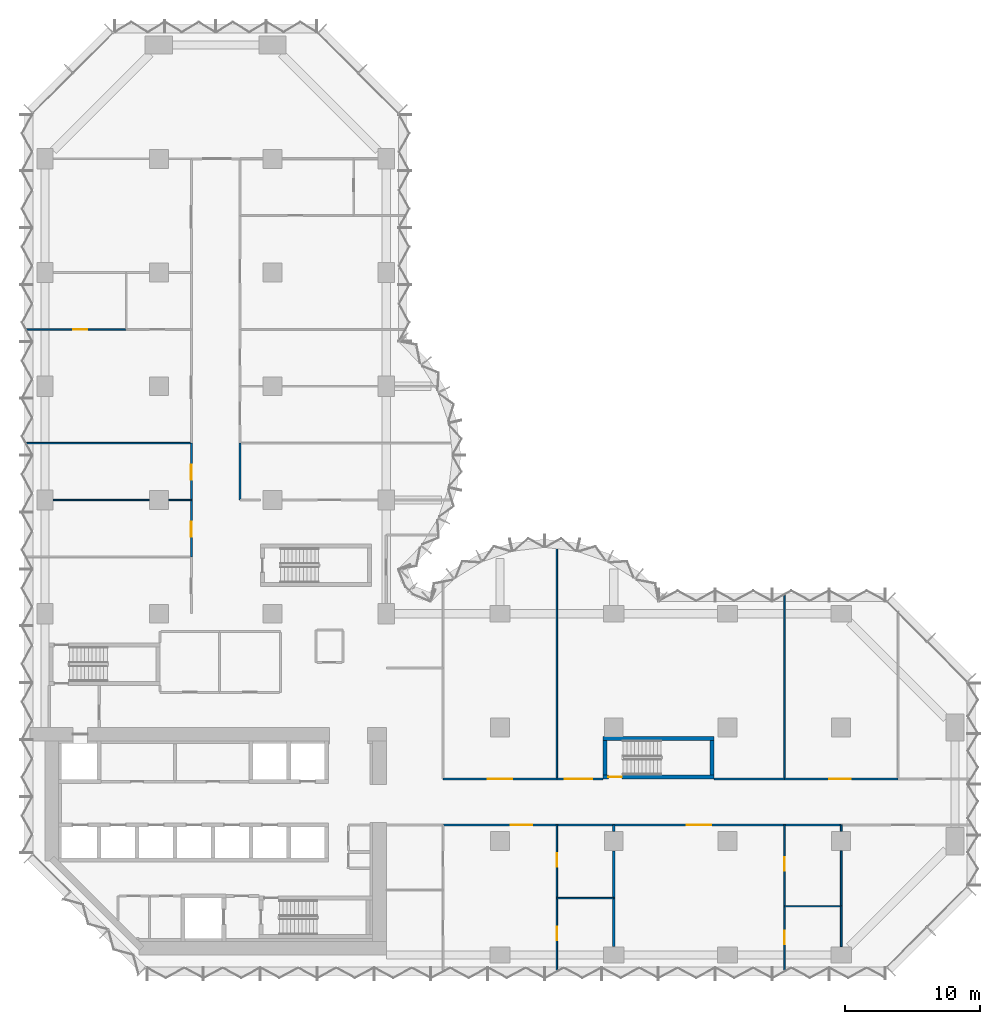
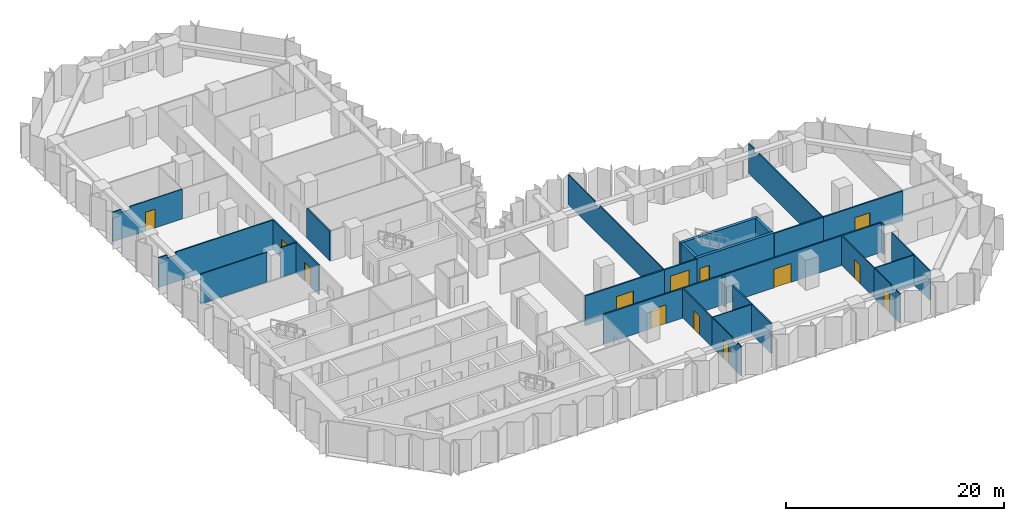
# One storey, part 10 of 15: 33 walls, 13 doors, 13 openings.
"""IFC4 building model written with IfcOpenShell, lengths in metres."""

from ifc_helpers import new_model, si_unit, direction, frame, frame_2d, origin, place, context, subcontext, project, spatial, polyline, rectangle, outline, extrude, material, layer, layer_set, type_object, element, fill, save


model = new_model("IFC4")

# Units and contexts
model_context = context("Model", 3, precision=1e-05, world=origin(), true_north=direction((0.0, 1.0)))
body_context = subcontext(model_context, "Body", "Model", "MODEL_VIEW")
ifc_project = project(units=[si_unit("LENGTHUNIT", "METRE"), si_unit("AREAUNIT", "SQUARE_METRE"), si_unit("VOLUMEUNIT", "CUBIC_METRE"), si_unit("PLANEANGLEUNIT", "RADIAN"), si_unit("MASSUNIT", "GRAM", prefix="KILO")], contexts=[model_context])

# Site, building, storey
site_placement = place(None, origin())
site = spatial("IfcSite", under=ifc_project, at=site_placement, CompositionType="ELEMENT")
building_placement = place(site_placement, origin())
building = spatial("IfcBuilding", under=site, at=building_placement, Name="Brevane Broadcast Tower", CompositionType="ELEMENT")
storey_placement = place(building_placement, frame((0.0, 0.0, 47.300048828125)))
storey = spatial("IfcBuildingStorey", under=building, at=storey_placement, Name="L09", CompositionType="ELEMENT", Elevation=47.300048828125)

# Wall, opening, door
ifc_material_1 = material(Name="Concrete C80/95", Category="concrete")
ifc_layer_1 = layer(ifc_material_1, 0.300048828125)
ifc_layer_set_1 = layer_set([ifc_layer_1], Name="Core wall 300 mm C80/95")
wall_type_1 = type_object("IfcWallType", Name="Core wall 300 mm C80/95", PredefinedType="SHEAR", material=ifc_layer_set_1)
wall_1_placement = place(storey_placement, frame((49.39990234375, 13.14990234375, 0.0), z_axis=(0.0, 0.0, 1.0), x_axis=(-1.0, 0.0, 0.0)))
wall_1 = element("IfcWall", 1, at=wall_1_placement, inside=storey, type_object=wall_type_1, Name="L09 stair wall ST-4-S", PredefinedType="SHEAR", context=body_context, shape_type="SweptSolid", body=[
    extrude(rectangle(XDim=8.199951171875, YDim=0.300048828125, at=frame_2d((4.10009765625, 0.0))), origin(), (0.0, 0.0, 1.0), 3.349853515625),
])
opening_1_placement = place(wall_1_placement, frame((6.800048828125, 0.0, 0.0)))
opening_1 = element("IfcOpeningElement", 2, at=opening_1_placement, cuts=wall_1, Name="Opening L09-K15", PredefinedType="OPENING", context=body_context, shape_type="SweptSolid", body=[
    extrude(rectangle(XDim=1.0, YDim=2.10009765625, at=frame_2d((0.5, 1.050048828125))), frame((0.0, 0.159912109375, 0.0), z_axis=(0.0, -1.0, 0.0), x_axis=(1.0, 0.0, 0.0)), (0.0, 0.0, 1.0), 0.320068359375),
])
ifc_material_2 = material(Name="Steel", Category="steel")
door_type_1 = type_object("IfcDoorType", Name="Stair door 1000 x 2100", OperationType="SINGLE_SWING_LEFT", PredefinedType="DOOR", material=ifc_material_2)
door_1_placement = place(opening_1_placement, origin())
door_1 = element("IfcDoor", 3, at=door_1_placement, inside=storey, type_object=door_type_1, Name="Door L09-K15", OperationType="SINGLE_SWING_RIGHT", OverallHeight=2.10009765625, OverallWidth=1.0, PredefinedType="DOOR", context=body_context, shape_type="SweptSolid", body=[
    extrude(rectangle(XDim=1.0, YDim=2.10009765625, at=frame_2d((0.5, 1.050048828125))), frame((0.0, 0.02490234375, 0.0), z_axis=(0.0, -1.0, 0.0), x_axis=(1.0, 0.0, 0.0)), (0.0, 0.0, 1.0), 0.050048828125),
])
fill(opening_1, door_1)

# Walls
wall_2_placement = place(storey_placement, frame((41.199951171875, 16.0, 0.0), z_axis=(0.0, 0.0, 1.0), x_axis=(1.0, 0.0, 0.0)))
element("IfcWall", 4, at=wall_2_placement, inside=storey, type_object=wall_type_1, Name="L09 stair wall ST-4-N", PredefinedType="SHEAR", context=body_context, shape_type="SweptSolid", body=[
    extrude(rectangle(XDim=8.199951171875, YDim=0.300048828125, at=frame_2d((4.10009765625, 0.0))), origin(), (0.0, 0.0, 1.0), 3.349853515625),
])
for number, where, z_axis, x_axis, name in (
    (5, (41.35009765625, 13.300048828125, 0.0), (0.0, 0.0, 1.0), (0.0, 1.0, 0.0), "L09 stair wall ST-4-W"),
    (6, (49.25, 13.300048828125, 0.0), (0.0, 0.0, 1.0), (0.0, 1.0, 0.0), "L09 stair wall ST-4-E"),
):
    element("IfcWall", number, at=place(storey_placement, frame(where, z_axis=z_axis, x_axis=x_axis)), inside=storey, type_object=wall_type_1, Name=name, PredefinedType="SHEAR", context=body_context, shape_type="SweptSolid", body=[
        extrude(rectangle(XDim=2.550048828125, YDim=0.300048828125, at=frame_2d((1.27490234375, 0.0))), origin(), (0.0, 0.0, 1.0), 3.349853515625),
    ])

# Wall, opening, door
ifc_material_3 = material(Name="Gypsum board partition")
ifc_layer_2 = layer(ifc_material_3, 0.10009765625)
ifc_layer_set_2 = layer_set([ifc_layer_2], Name="PARTITION 100 STUD")
wall_type_2 = type_object("IfcWallType", Name="PARTITION 100 STUD", PredefinedType="PARTITIONING", material=ifc_layer_set_2)
wall_3_placement = place(storey_placement, frame((37.800048828125, 4.199951171875, 0.0), z_axis=(0.0, 0.0, 1.0), x_axis=(0.0, -1.0, 0.0)))
wall_3 = element("IfcWall", 7, at=wall_3_placement, inside=storey, type_object=wall_type_2, Name="Partition G02-017", PredefinedType="PARTITIONING", context=body_context, shape_type="SweptSolid", body=[
    extrude(outline(polyline([(0.0, 0.0), (5.3740234375, 0.0), (5.3740234375, 3.329833984375), (5.300048828125, 3.329833984375), (4.64990234375, 3.329833984375), (4.64794921875, 2.97998046875), (3.751953125, 2.97998046875), (3.75, 3.329833984375), (0.0, 3.329833984375), (0.0, 0.0)])), frame((0.0, 0.050048828125, 0.0), z_axis=(0.0, -1.0, 0.0), x_axis=(1.0, 0.0, 0.0)), (0.0, 0.0, 1.0), 0.10009765625),
])
opening_2_placement = place(wall_3_placement, frame((2.10009765625, 0.0, 0.0)))
opening_2 = element("IfcOpeningElement", 8, at=opening_2_placement, cuts=wall_3, Name="Opening D08-003", PredefinedType="OPENING", context=body_context, shape_type="SweptSolid", body=[
    extrude(rectangle(XDim=1.0, YDim=2.10009765625, at=frame_2d((0.5, 1.050048828125))), frame((0.0, 0.06005859375, 0.0), z_axis=(0.0, -1.0, 0.0), x_axis=(1.0, 0.0, 0.0)), (0.0, 0.0, 1.0), 0.1201171875),
])
ifc_material_4 = material(Name="Timber door leaf", Category="wood")
door_type_2 = type_object("IfcDoorType", Name="DOOR SINGLE 1000 INTERNAL", OperationType="SINGLE_SWING_LEFT", PredefinedType="DOOR", material=ifc_material_4)
door_2_placement = place(opening_2_placement, origin())
door_2 = element("IfcDoor", 9, at=door_2_placement, inside=storey, type_object=door_type_2, Name="Door D08-003", OperationType="SINGLE_SWING_LEFT", OverallHeight=2.10009765625, OverallWidth=1.0, PredefinedType="DOOR", context=body_context, shape_type="SweptSolid", body=[
    extrude(rectangle(XDim=1.0, YDim=2.10009765625, at=frame_2d((0.5, 1.050048828125))), frame((0.0, 0.02490234375, 0.0), z_axis=(0.0, -1.0, 0.0), x_axis=(1.0, 0.0, 0.0)), (0.0, 0.0, 1.0), 0.050048828125),
])
fill(opening_2, door_2)

wall_4_placement = place(storey_placement, frame((37.800048828125, 9.60009765625, 0.0), z_axis=(0.0, 0.0, 1.0), x_axis=(0.0, -1.0, 0.0)))
wall_4 = element("IfcWall", 10, at=wall_4_placement, inside=storey, type_object=wall_type_2, Name="Partition G02-018", PredefinedType="PARTITIONING", context=body_context, shape_type="SweptSolid", body=[
    extrude(rectangle(XDim=5.400146484375, YDim=0.10009765625, at=frame_2d((2.7001953125, 0.0))), origin(), (0.0, 0.0, 1.0), 3.329833984375),
])
opening_3_placement = place(wall_4_placement, frame((2.10009765625, 0.0, 0.0)))
opening_3 = element("IfcOpeningElement", 11, at=opening_3_placement, cuts=wall_4, Name="Opening D08-004", PredefinedType="OPENING", context=body_context, shape_type="SweptSolid", body=[
    extrude(rectangle(XDim=1.0, YDim=2.10009765625, at=frame_2d((0.5, 1.050048828125))), frame((0.0, 0.06005859375, 0.0), z_axis=(0.0, -1.0, 0.0), x_axis=(1.0, 0.0, 0.0)), (0.0, 0.0, 1.0), 0.1201171875),
])
door_3_placement = place(opening_3_placement, origin())
door_3 = element("IfcDoor", 12, at=door_3_placement, inside=storey, type_object=door_type_2, Name="Door D08-004", OperationType="SINGLE_SWING_LEFT", OverallHeight=2.10009765625, OverallWidth=1.0, PredefinedType="DOOR", context=body_context, shape_type="SweptSolid", body=[
    extrude(rectangle(XDim=1.0, YDim=2.10009765625, at=frame_2d((0.5, 1.050048828125))), frame((0.0, 0.02490234375, 0.0), z_axis=(0.0, -1.0, 0.0), x_axis=(1.0, 0.0, 0.0)), (0.0, 0.0, 1.0), 0.050048828125),
])
fill(opening_3, door_3)

# Wall
wall_5_placement = place(storey_placement, frame((37.800048828125, 4.199951171875, 0.0), z_axis=(0.0, 0.0, 1.0), x_axis=(1.0, 0.0, 0.0)))
element("IfcWall", 13, at=wall_5_placement, inside=storey, type_object=wall_type_2, Name="Partition G02-021", PredefinedType="PARTITIONING", context=body_context, shape_type="SweptSolid", body=[
    extrude(rectangle(XDim=4.199951171875, YDim=0.10009765625, at=frame_2d((2.10009765625, 0.0))), origin(), (0.0, 0.0, 1.0), 3.329833984375),
])

# Wall, opening, door
wall_6_placement = place(storey_placement, frame((54.60009765625, 3.60009765625, 0.0), z_axis=(0.0, 0.0, 1.0), x_axis=(0.0, -1.0, 0.0)))
wall_6 = element("IfcWall", 14, at=wall_6_placement, inside=storey, type_object=wall_type_2, Name="Partition G02-026", PredefinedType="PARTITIONING", context=body_context, shape_type="SweptSolid", body=[
    extrude(outline(polyline([(0.0, 0.0), (4.774169921875, 0.0), (4.77392578125, 3.329833984375), (4.699951171875, 3.329833984375), (4.050048828125, 3.329833984375), (4.048095703125, 2.97998046875), (3.152099609375, 2.97998046875), (3.14990234375, 3.329833984375), (0.0, 3.329833984375), (0.0, 0.0)])), frame((0.0, 0.050048828125, 0.0), z_axis=(0.0, -1.0, 0.0), x_axis=(1.0, 0.0, 0.0)), (0.0, 0.0, 1.0), 0.10009765625),
])
opening_4_placement = place(wall_6_placement, frame((1.800048828125, 0.0, 0.0)))
opening_4 = element("IfcOpeningElement", 15, at=opening_4_placement, cuts=wall_6, Name="Opening D08-008", PredefinedType="OPENING", context=body_context, shape_type="SweptSolid", body=[
    extrude(rectangle(XDim=1.0, YDim=2.10009765625, at=frame_2d((0.5, 1.050048828125))), frame((0.0, 0.06005859375, 0.0), z_axis=(0.0, -1.0, 0.0), x_axis=(1.0, 0.0, 0.0)), (0.0, 0.0, 1.0), 0.1201171875),
])
door_4_placement = place(opening_4_placement, origin())
door_4 = element("IfcDoor", 16, at=door_4_placement, inside=storey, type_object=door_type_2, Name="Door D08-008", OperationType="SINGLE_SWING_LEFT", OverallHeight=2.10009765625, OverallWidth=1.0, PredefinedType="DOOR", context=body_context, shape_type="SweptSolid", body=[
    extrude(rectangle(XDim=1.0, YDim=2.10009765625, at=frame_2d((0.5, 1.050048828125))), frame((0.0, 0.02490234375, 0.0), z_axis=(0.0, -1.0, 0.0), x_axis=(1.0, 0.0, 0.0)), (0.0, 0.0, 1.0), 0.050048828125),
])
fill(opening_4, door_4)

wall_7_placement = place(storey_placement, frame((54.60009765625, 9.60009765625, 0.0), z_axis=(0.0, 0.0, 1.0), x_axis=(0.0, -1.0, 0.0)))
wall_7 = element("IfcWall", 17, at=wall_7_placement, inside=storey, type_object=wall_type_2, Name="Partition G02-027", PredefinedType="PARTITIONING", context=body_context, shape_type="SweptSolid", body=[
    extrude(rectangle(XDim=6.0, YDim=0.10009765625, at=frame_2d((3.0, 0.0))), origin(), (0.0, 0.0, 1.0), 3.329833984375),
])
opening_5_placement = place(wall_7_placement, frame((2.39990234375, 0.0, 0.0)))
opening_5 = element("IfcOpeningElement", 18, at=opening_5_placement, cuts=wall_7, Name="Opening D08-009", PredefinedType="OPENING", context=body_context, shape_type="SweptSolid", body=[
    extrude(rectangle(XDim=1.0, YDim=2.10009765625, at=frame_2d((0.5, 1.050048828125))), frame((0.0, 0.06005859375, 0.0), z_axis=(0.0, -1.0, 0.0), x_axis=(1.0, 0.0, 0.0)), (0.0, 0.0, 1.0), 0.1201171875),
])
door_5_placement = place(opening_5_placement, origin())
door_5 = element("IfcDoor", 19, at=door_5_placement, inside=storey, type_object=door_type_2, Name="Door D08-009", OperationType="SINGLE_SWING_LEFT", OverallHeight=2.10009765625, OverallWidth=1.0, PredefinedType="DOOR", context=body_context, shape_type="SweptSolid", body=[
    extrude(rectangle(XDim=1.0, YDim=2.10009765625, at=frame_2d((0.5, 1.050048828125))), frame((0.0, 0.02490234375, 0.0), z_axis=(0.0, -1.0, 0.0), x_axis=(1.0, 0.0, 0.0)), (0.0, 0.0, 1.0), 0.050048828125),
])
fill(opening_5, door_5)

# Walls
wall_8_placement = place(storey_placement, frame((54.60009765625, 3.60009765625, 0.0), z_axis=(0.0, 0.0, 1.0), x_axis=(1.0, 0.0, 0.0)))
element("IfcWall", 20, at=wall_8_placement, inside=storey, type_object=wall_type_2, Name="Partition G02-028", PredefinedType="PARTITIONING", context=body_context, shape_type="SweptSolid", body=[
    extrude(rectangle(XDim=4.199951171875, YDim=0.10009765625, at=frame_2d((2.10009765625, 0.0))), origin(), (0.0, 0.0, 1.0), 3.329833984375),
])
wall_9_placement = place(storey_placement, frame((37.800048828125, 30.52587890625, 0.0), z_axis=(0.0, 0.0, 1.0), x_axis=(0.0, -1.0, 0.0)))
element("IfcWall", 21, at=wall_9_placement, inside=storey, type_object=wall_type_2, Name="Partition G02-032", PredefinedType="PARTITIONING", context=body_context, shape_type="SweptSolid", body=[
    extrude(outline(polyline([(0.0, 0.0), (17.52587890625, 0.0), (17.52587890625, 3.329833984375), (5.77587890625, 3.329833984375), (5.77392578125, 2.97998046875), (4.8779296875, 2.97998046875), (4.8759765625, 3.329833984375), (0.283203125, 3.329833984375), (0.0, 3.329833984375), (0.0, 0.0)])), frame((0.0, 0.050048828125, 0.0), z_axis=(0.0, -1.0, 0.0), x_axis=(1.0, 0.0, 0.0)), (0.0, 0.0, 1.0), 0.10009765625),
])
wall_10_placement = place(storey_placement, frame((54.60009765625, 26.56494140625, 0.0), z_axis=(0.0, 0.0, 1.0), x_axis=(0.0, -1.0, 0.0)))
element("IfcWall", 22, at=wall_10_placement, inside=storey, type_object=wall_type_2, Name="Partition G02-033", PredefinedType="PARTITIONING", context=body_context, shape_type="SweptSolid", body=[
    extrude(outline(polyline([(0.0, 0.0), (13.56494140625, 0.0), (13.56494140625, 3.329833984375), (1.81494140625, 3.329833984375), (1.81298828125, 2.97998046875), (0.9169921875, 2.97998046875), (0.9150390625, 3.329833984375), (0.264892578125, 3.329833984375), (0.0, 3.329833984375), (0.0, 0.0)])), frame((0.0, 0.050048828125, 0.0), z_axis=(0.0, -1.0, 0.0), x_axis=(1.0, 0.0, 0.0)), (0.0, 0.0, 1.0), 0.10009765625),
])
wall_11_placement = place(storey_placement, frame((0.6201171875, 33.60009765625, 0.0), z_axis=(0.0, 0.0, 1.0), x_axis=(1.0, 0.0, 0.0)))
element("IfcWall", 23, at=wall_11_placement, inside=storey, type_object=wall_type_2, Name="Partition G02-056", PredefinedType="PARTITIONING", context=body_context, shape_type="SweptSolid", body=[
    extrude(rectangle(XDim=7.059814453125, YDim=0.10009765625, at=frame_2d((3.52978515625, 0.0))), origin(), (0.0, 0.0, 1.0), 3.329833984375),
])
wall_12_placement = place(storey_placement, frame((9.1201171875, 33.60009765625, 0.0), z_axis=(0.0, 0.0, 1.0), x_axis=(1.0, 0.0, 0.0)))
element("IfcWall", 24, at=wall_12_placement, inside=storey, type_object=wall_type_2, Name="Partition G02-057", PredefinedType="PARTITIONING", context=body_context, shape_type="SweptSolid", body=[
    extrude(rectangle(XDim=1.679931640625, YDim=0.10009765625, at=frame_2d((0.83984375, 0.0))), origin(), (0.0, 0.0, 1.0), 3.329833984375),
])

# Wall, opening, door
wall_13_placement = place(storey_placement, frame((-1.364990234375, 46.199951171875, 0.0), z_axis=(0.0, 0.0, 1.0), x_axis=(1.0, 0.0, 0.0)))
wall_13 = element("IfcWall", 25, at=wall_13_placement, inside=storey, type_object=wall_type_2, Name="Partition G02-059", PredefinedType="PARTITIONING", context=body_context, shape_type="SweptSolid", body=[
    extrude(outline(polyline([(0.0, 0.0), (7.364990234375, 0.0), (7.364990234375, 3.329833984375), (1.81494140625, 3.329833984375), (1.81298828125, 2.97998046875), (0.9169921875, 2.97998046875), (0.9150390625, 3.329833984375), (0.264892578125, 3.329833984375), (0.0, 3.329833984375), (0.0, 0.0)])), frame((0.0, 0.050048828125, 0.0), z_axis=(0.0, -1.0, 0.0), x_axis=(1.0, 0.0, 0.0)), (0.0, 0.0, 1.0), 0.10009765625),
])
opening_6_placement = place(wall_13_placement, frame((3.465087890625, 0.0, 0.0)))
opening_6 = element("IfcOpeningElement", 26, at=opening_6_placement, cuts=wall_13, Name="Opening D08-020", PredefinedType="OPENING", context=body_context, shape_type="SweptSolid", body=[
    extrude(rectangle(XDim=1.0, YDim=2.10009765625, at=frame_2d((0.5, 1.050048828125))), frame((0.0, 0.06005859375, 0.0), z_axis=(0.0, -1.0, 0.0), x_axis=(1.0, 0.0, 0.0)), (0.0, 0.0, 1.0), 0.1201171875),
])
door_6_placement = place(opening_6_placement, origin())
door_6 = element("IfcDoor", 27, at=door_6_placement, inside=storey, type_object=door_type_2, Name="Door D08-020", OperationType="SINGLE_SWING_LEFT", OverallHeight=2.10009765625, OverallWidth=1.0, PredefinedType="DOOR", context=body_context, shape_type="SweptSolid", body=[
    extrude(rectangle(XDim=1.0, YDim=2.10009765625, at=frame_2d((0.5, 1.050048828125))), frame((0.0, 0.02490234375, 0.0), z_axis=(0.0, -1.0, 0.0), x_axis=(1.0, 0.0, 0.0)), (0.0, 0.0, 1.0), 0.050048828125),
])
fill(opening_6, door_6)

# Walls
ifc_layer_3 = layer(ifc_material_3, 0.125)
ifc_layer_set_3 = layer_set([ifc_layer_3], Name="PARTITION 125 ACOUSTIC")
wall_type_3 = type_object("IfcWallType", Name="PARTITION 125 ACOUSTIC", PredefinedType="PARTITIONING", material=ifc_layer_set_3)
wall_14_placement = place(storey_placement, frame((58.800048828125, 3.60009765625, 0.0), z_axis=(0.0, 0.0, 1.0), x_axis=(0.0, -1.0, 0.0)))
element("IfcWall", 28, at=wall_14_placement, inside=storey, type_object=wall_type_3, Name="Partition G02-029", PredefinedType="PARTITIONING", context=body_context, shape_type="SweptSolid", body=[
    extrude(rectangle(XDim=2.97998046875, YDim=0.125, at=frame_2d((1.489990234375, 0.0))), origin(), (0.0, 0.0, 1.0), 3.329833984375),
])
wall_15_placement = place(storey_placement, frame((58.800048828125, 9.60009765625, 0.0), z_axis=(0.0, 0.0, 1.0), x_axis=(0.0, -1.0, 0.0)))
element("IfcWall", 29, at=wall_15_placement, inside=storey, type_object=wall_type_3, Name="Partition G02-030", PredefinedType="PARTITIONING", context=body_context, shape_type="SweptSolid", body=[
    extrude(rectangle(XDim=0.47998046875, YDim=0.125, at=frame_2d((0.239990234375, 0.0))), origin(), (0.0, 0.0, 1.0), 3.329833984375),
])
wall_16_placement = place(storey_placement, frame((58.800048828125, 7.679931640625, 0.0), z_axis=(0.0, 0.0, 1.0), x_axis=(0.0, -1.0, 0.0)))
element("IfcWall", 30, at=wall_16_placement, inside=storey, type_object=wall_type_3, Name="Partition G02-031", PredefinedType="PARTITIONING", context=body_context, shape_type="SweptSolid", body=[
    extrude(rectangle(XDim=4.079833984375, YDim=0.125, at=frame_2d((2.0400390625, 0.0))), origin(), (0.0, 0.0, 1.0), 3.329833984375),
])
wall_17_placement = place(storey_placement, frame((-1.364990234375, 37.800048828125, 0.0), z_axis=(0.0, 0.0, 1.0), x_axis=(1.0, 0.0, 0.0)))
element("IfcWall", 31, at=wall_17_placement, inside=storey, type_object=wall_type_3, Name="Partition G02-058", PredefinedType="PARTITIONING", context=body_context, shape_type="SweptSolid", body=[
    extrude(outline(polyline([(0.0, 0.0), (12.1650390625, 0.0), (12.1650390625, 3.329833984375), (1.81494140625, 3.329833984375), (1.81298828125, 2.97998046875), (0.9169921875, 2.97998046875), (0.9150390625, 3.329833984375), (0.264892578125, 3.329833984375), (0.0, 3.329833984375), (0.0, 0.0)])), frame((0.0, 0.0625, 0.0), z_axis=(0.0, -1.0, 0.0), x_axis=(1.0, 0.0, 0.0)), (0.0, 0.0, 1.0), 0.125),
])

# Wall, opening, door
ifc_layer_4 = layer(ifc_material_3, 0.14990234375)
ifc_layer_set_4 = layer_set([ifc_layer_4], Name="PARTITION 150 EI 60")
wall_type_4 = type_object("IfcWallType", Name="PARTITION 150 EI 60", PredefinedType="PARTITIONING", material=ifc_layer_set_4)
wall_18_placement = place(storey_placement, frame((37.800048828125, 9.60009765625, 0.0), z_axis=(0.0, 0.0, 1.0), x_axis=(-1.0, 0.0, 0.0)))
wall_18 = element("IfcWall", 32, at=wall_18_placement, inside=storey, type_object=wall_type_4, Name="Partition G02-007", PredefinedType="PARTITIONING", context=body_context, shape_type="SweptSolid", body=[
    extrude(rectangle(XDim=8.400146484375, YDim=0.14990234375, at=frame_2d((4.2001953125, 0.0))), origin(), (0.0, 0.0, 1.0), 3.329833984375),
])
opening_7_placement = place(wall_18_placement, frame((1.800048828125, 0.0, 0.0)))
opening_7 = element("IfcOpeningElement", 33, at=opening_7_placement, cuts=wall_18, Name="Opening D08-002", PredefinedType="OPENING", context=body_context, shape_type="SweptSolid", body=[
    extrude(rectangle(XDim=1.60009765625, YDim=2.10009765625, at=frame_2d((0.800048828125, 1.050048828125))), frame((0.0, 0.0849609375, 0.0), z_axis=(0.0, -1.0, 0.0), x_axis=(1.0, 0.0, 0.0)), (0.0, 0.0, 1.0), 0.169921875),
])
ifc_material_5 = material(Name="Fire-rated timber door leaf", Category="wood")
door_type_3 = type_object("IfcDoorType", Name="DOOR DOUBLE 1600 FD30S", OperationType="DOUBLE_DOOR_SINGLE_SWING", PredefinedType="DOOR", material=ifc_material_5)
door_7_placement = place(opening_7_placement, origin())
door_7 = element("IfcDoor", 34, at=door_7_placement, inside=storey, type_object=door_type_3, Name="Door D08-002", OperationType="DOUBLE_DOOR_SINGLE_SWING", OverallHeight=2.10009765625, OverallWidth=1.60009765625, PredefinedType="DOOR", context=body_context, shape_type="SweptSolid", body=[
    extrude(rectangle(XDim=1.60009765625, YDim=2.10009765625, at=frame_2d((0.800048828125, 1.050048828125))), frame((0.0, 0.02490234375, 0.0), z_axis=(0.0, -1.0, 0.0), x_axis=(1.0, 0.0, 0.0)), (0.0, 0.0, 1.0), 0.050048828125),
])
fill(opening_7, door_7)

# Wall
wall_19_placement = place(storey_placement, frame((42.0, 9.60009765625, 0.0), z_axis=(0.0, 0.0, 1.0), x_axis=(-1.0, 0.0, 0.0)))
element("IfcWall", 35, at=wall_19_placement, inside=storey, type_object=wall_type_4, Name="Partition G02-008", PredefinedType="PARTITIONING", context=body_context, shape_type="SweptSolid", body=[
    extrude(rectangle(XDim=4.199951171875, YDim=0.14990234375, at=frame_2d((2.10009765625, 0.0))), origin(), (0.0, 0.0, 1.0), 3.329833984375),
])

# Wall, opening, door
wall_20_placement = place(storey_placement, frame((54.60009765625, 9.60009765625, 0.0), z_axis=(0.0, 0.0, 1.0), x_axis=(-1.0, 0.0, 0.0)))
wall_20 = element("IfcWall", 36, at=wall_20_placement, inside=storey, type_object=wall_type_4, Name="Partition G02-009", PredefinedType="PARTITIONING", context=body_context, shape_type="SweptSolid", body=[
    extrude(rectangle(XDim=12.60009765625, YDim=0.14990234375, at=frame_2d((6.300048828125, 0.0))), origin(), (0.0, 0.0, 1.0), 3.329833984375),
])
opening_8_placement = place(wall_20_placement, frame((5.39990234375, 0.0, 0.0)))
opening_8 = element("IfcOpeningElement", 37, at=opening_8_placement, cuts=wall_20, Name="Opening D08-007", PredefinedType="OPENING", context=body_context, shape_type="SweptSolid", body=[
    extrude(rectangle(XDim=1.800048828125, YDim=2.10009765625, at=frame_2d((0.89990234375, 1.050048828125))), frame((0.0, 0.0849609375, 0.0), z_axis=(0.0, -1.0, 0.0), x_axis=(1.0, 0.0, 0.0)), (0.0, 0.0, 1.0), 0.169921875),
])
door_type_4 = type_object("IfcDoorType", Name="DOOR DOUBLE 1800 FD30S", OperationType="DOUBLE_DOOR_SINGLE_SWING", PredefinedType="DOOR", material=ifc_material_5)
door_8_placement = place(opening_8_placement, origin())
door_8 = element("IfcDoor", 38, at=door_8_placement, inside=storey, type_object=door_type_4, Name="Door D08-007", OperationType="DOUBLE_DOOR_SINGLE_SWING", OverallHeight=2.10009765625, OverallWidth=1.800048828125, PredefinedType="DOOR", context=body_context, shape_type="SweptSolid", body=[
    extrude(rectangle(XDim=1.800048828125, YDim=2.10009765625, at=frame_2d((0.89990234375, 1.050048828125))), frame((0.0, 0.02490234375, 0.0), z_axis=(0.0, -1.0, 0.0), x_axis=(1.0, 0.0, 0.0)), (0.0, 0.0, 1.0), 0.050048828125),
])
fill(opening_8, door_8)

# Wall
wall_21_placement = place(storey_placement, frame((58.800048828125, 9.60009765625, 0.0), z_axis=(0.0, 0.0, 1.0), x_axis=(-1.0, 0.0, 0.0)))
element("IfcWall", 39, at=wall_21_placement, inside=storey, type_object=wall_type_4, Name="Partition G02-010", PredefinedType="PARTITIONING", context=body_context, shape_type="SweptSolid", body=[
    extrude(rectangle(XDim=4.199951171875, YDim=0.14990234375, at=frame_2d((2.10009765625, 0.0))), origin(), (0.0, 0.0, 1.0), 3.329833984375),
])

# Wall, opening, door
wall_22_placement = place(storey_placement, frame((29.39990234375, 13.0, 0.0), z_axis=(0.0, 0.0, 1.0), x_axis=(1.0, 0.0, 0.0)))
wall_22 = element("IfcWall", 40, at=wall_22_placement, inside=storey, type_object=wall_type_4, Name="Partition G02-012", PredefinedType="PARTITIONING", context=body_context, shape_type="SweptSolid", body=[
    extrude(rectangle(XDim=8.400146484375, YDim=0.14990234375, at=frame_2d((4.2001953125, 0.0))), origin(), (0.0, 0.0, 1.0), 3.329833984375),
])
opening_9_placement = place(wall_22_placement, frame((3.300048828125, 0.0, 0.0)))
opening_9 = element("IfcOpeningElement", 41, at=opening_9_placement, cuts=wall_22, Name="Opening D08-011", PredefinedType="OPENING", context=body_context, shape_type="SweptSolid", body=[
    extrude(rectangle(XDim=1.800048828125, YDim=2.10009765625, at=frame_2d((0.89990234375, 1.050048828125))), frame((0.0, 0.0849609375, 0.0), z_axis=(0.0, -1.0, 0.0), x_axis=(1.0, 0.0, 0.0)), (0.0, 0.0, 1.0), 0.169921875),
])
door_9_placement = place(opening_9_placement, origin())
door_9 = element("IfcDoor", 42, at=door_9_placement, inside=storey, type_object=door_type_4, Name="Door D08-011", OperationType="DOUBLE_DOOR_SINGLE_SWING", OverallHeight=2.10009765625, OverallWidth=1.800048828125, PredefinedType="DOOR", context=body_context, shape_type="SweptSolid", body=[
    extrude(rectangle(XDim=1.800048828125, YDim=2.10009765625, at=frame_2d((0.89990234375, 1.050048828125))), frame((0.0, 0.02490234375, 0.0), z_axis=(0.0, -1.0, 0.0), x_axis=(1.0, 0.0, 0.0)), (0.0, 0.0, 1.0), 0.050048828125),
])
fill(opening_9, door_9)

wall_23_placement = place(storey_placement, frame((37.800048828125, 13.0, 0.0), z_axis=(0.0, 0.0, 1.0), x_axis=(1.0, 0.0, 0.0)))
wall_23 = element("IfcWall", 43, at=wall_23_placement, inside=storey, type_object=wall_type_4, Name="Partition G02-013", PredefinedType="PARTITIONING", context=body_context, shape_type="SweptSolid", body=[
    extrude(rectangle(XDim=3.39990234375, YDim=0.14990234375, at=frame_2d((1.699951171875, 0.0))), origin(), (0.0, 0.0, 1.0), 3.329833984375),
])
opening_10_placement = place(wall_23_placement, frame((0.60009765625, 0.0, 0.0)))
opening_10 = element("IfcOpeningElement", 44, at=opening_10_placement, cuts=wall_23, Name="Opening D08-012", PredefinedType="OPENING", context=body_context, shape_type="SweptSolid", body=[
    extrude(rectangle(XDim=2.0, YDim=2.39990234375, at=frame_2d((1.0, 1.199951171875))), frame((0.0, 0.0849609375, 0.0), z_axis=(0.0, -1.0, 0.0), x_axis=(1.0, 0.0, 0.0)), (0.0, 0.0, 1.0), 0.169921875),
])
door_type_5 = type_object("IfcDoorType", Name="DOOR DOUBLE 2000 FD30S", OperationType="DOUBLE_DOOR_SINGLE_SWING", PredefinedType="DOOR", material=ifc_material_5)
door_10_placement = place(opening_10_placement, origin())
door_10 = element("IfcDoor", 45, at=door_10_placement, inside=storey, type_object=door_type_5, Name="Door D08-012", OperationType="DOUBLE_DOOR_SINGLE_SWING", OverallHeight=2.39990234375, OverallWidth=2.0, PredefinedType="DOOR", context=body_context, shape_type="SweptSolid", body=[
    extrude(rectangle(XDim=2.0, YDim=2.39990234375, at=frame_2d((1.0, 1.199951171875))), frame((0.0, 0.02490234375, 0.0), z_axis=(0.0, -1.0, 0.0), x_axis=(1.0, 0.0, 0.0)), (0.0, 0.0, 1.0), 0.050048828125),
])
fill(opening_10, door_10)

# Wall
wall_24_placement = place(storey_placement, frame((49.39990234375, 13.0, 0.0), z_axis=(0.0, 0.0, 1.0), x_axis=(1.0, 0.0, 0.0)))
element("IfcWall", 46, at=wall_24_placement, inside=storey, type_object=wall_type_4, Name="Partition G02-014", PredefinedType="PARTITIONING", context=body_context, shape_type="SweptSolid", body=[
    extrude(rectangle(XDim=5.2001953125, YDim=0.14990234375, at=frame_2d((2.60009765625, 0.0))), origin(), (0.0, 0.0, 1.0), 3.329833984375),
])

# Wall, opening, door
wall_25_placement = place(storey_placement, frame((54.60009765625, 13.0, 0.0), z_axis=(0.0, 0.0, 1.0), x_axis=(1.0, 0.0, 0.0)))
wall_25 = element("IfcWall", 47, at=wall_25_placement, inside=storey, type_object=wall_type_4, Name="Partition G02-015", PredefinedType="PARTITIONING", context=body_context, shape_type="SweptSolid", body=[
    extrude(rectangle(XDim=8.39990234375, YDim=0.14990234375, at=frame_2d((4.199951171875, 0.0))), origin(), (0.0, 0.0, 1.0), 3.329833984375),
])
opening_11_placement = place(wall_25_placement, frame((3.300048828125, 0.0, 0.0)))
opening_11 = element("IfcOpeningElement", 48, at=opening_11_placement, cuts=wall_25, Name="Opening D08-013", PredefinedType="OPENING", context=body_context, shape_type="SweptSolid", body=[
    extrude(rectangle(XDim=1.60009765625, YDim=2.10009765625, at=frame_2d((0.800048828125, 1.050048828125))), frame((0.0, 0.0849609375, 0.0), z_axis=(0.0, -1.0, 0.0), x_axis=(1.0, 0.0, 0.0)), (0.0, 0.0, 1.0), 0.169921875),
])
door_11_placement = place(opening_11_placement, origin())
door_11 = element("IfcDoor", 49, at=door_11_placement, inside=storey, type_object=door_type_3, Name="Door D08-013", OperationType="DOUBLE_DOOR_SINGLE_SWING", OverallHeight=2.10009765625, OverallWidth=1.60009765625, PredefinedType="DOOR", context=body_context, shape_type="SweptSolid", body=[
    extrude(rectangle(XDim=1.60009765625, YDim=2.10009765625, at=frame_2d((0.800048828125, 1.050048828125))), frame((0.0, 0.02490234375, 0.0), z_axis=(0.0, -1.0, 0.0), x_axis=(1.0, 0.0, 0.0)), (0.0, 0.0, 1.0), 0.050048828125),
])
fill(opening_11, door_11)

# Walls
wall_26_placement = place(storey_placement, frame((42.0, 4.199951171875, 0.0), z_axis=(0.0, 0.0, 1.0), x_axis=(0.0, -1.0, 0.0)))
element("IfcWall", 50, at=wall_26_placement, inside=storey, type_object=wall_type_4, Name="Partition G02-022", PredefinedType="PARTITIONING", context=body_context, shape_type="SweptSolid", body=[
    extrude(rectangle(XDim=3.579833984375, YDim=0.14990234375, at=frame_2d((1.7900390625, 0.0))), origin(), (0.0, 0.0, 1.0), 3.329833984375),
])
wall_27_placement = place(storey_placement, frame((42.0, 9.60009765625, 0.0), z_axis=(0.0, 0.0, 1.0), x_axis=(0.0, -1.0, 0.0)))
element("IfcWall", 51, at=wall_27_placement, inside=storey, type_object=wall_type_4, Name="Partition G02-023", PredefinedType="PARTITIONING", context=body_context, shape_type="SweptSolid", body=[
    extrude(rectangle(XDim=0.47998046875, YDim=0.14990234375, at=frame_2d((0.239990234375, 0.0))), origin(), (0.0, 0.0, 1.0), 3.329833984375),
])
wall_28_placement = place(storey_placement, frame((42.0, 7.679931640625, 0.0), z_axis=(0.0, 0.0, 1.0), x_axis=(0.0, -1.0, 0.0)))
element("IfcWall", 52, at=wall_28_placement, inside=storey, type_object=wall_type_4, Name="Partition G02-024", PredefinedType="PARTITIONING", context=body_context, shape_type="SweptSolid", body=[
    extrude(rectangle(XDim=3.47998046875, YDim=0.14990234375, at=frame_2d((1.739990234375, 0.0))), origin(), (0.0, 0.0, 1.0), 3.329833984375),
])

# Wall, opening, door
wall_29_placement = place(storey_placement, frame((10.800048828125, 29.39990234375, 0.0), z_axis=(0.0, 0.0, 1.0), x_axis=(0.0, 1.0, 0.0)))
wall_29 = element("IfcWall", 53, at=wall_29_placement, inside=storey, type_object=wall_type_4, Name="Partition G02-036", PredefinedType="PARTITIONING", context=body_context, shape_type="SweptSolid", body=[
    extrude(rectangle(XDim=4.2001953125, YDim=0.14990234375, at=frame_2d((2.10009765625, 0.0))), origin(), (0.0, 0.0, 1.0), 3.329833984375),
])
opening_12_placement = place(wall_29_placement, frame((1.5, 0.0, 0.0)))
opening_12 = element("IfcOpeningElement", 54, at=opening_12_placement, cuts=wall_29, Name="Opening D08-017", PredefinedType="OPENING", context=body_context, shape_type="SweptSolid", body=[
    extrude(rectangle(XDim=1.10009765625, YDim=2.10009765625, at=frame_2d((0.550048828125, 1.050048828125))), frame((0.0, 0.0849609375, 0.0), z_axis=(0.0, -1.0, 0.0), x_axis=(1.0, 0.0, 0.0)), (0.0, 0.0, 1.0), 0.169921875),
])
door_type_6 = type_object("IfcDoorType", Name="DOOR SINGLE 1100 FD30S", OperationType="SINGLE_SWING_LEFT", PredefinedType="DOOR", material=ifc_material_5)
door_12_placement = place(opening_12_placement, origin())
door_12 = element("IfcDoor", 55, at=door_12_placement, inside=storey, type_object=door_type_6, Name="Door D08-017", OperationType="SINGLE_SWING_LEFT", OverallHeight=2.10009765625, OverallWidth=1.10009765625, PredefinedType="DOOR", context=body_context, shape_type="SweptSolid", body=[
    extrude(rectangle(XDim=1.10009765625, YDim=2.10009765625, at=frame_2d((0.550048828125, 1.050048828125))), frame((0.0, 0.02490234375, 0.0), z_axis=(0.0, -1.0, 0.0), x_axis=(1.0, 0.0, 0.0)), (0.0, 0.0, 1.0), 0.050048828125),
])
fill(opening_12, door_12)

wall_30_placement = place(storey_placement, frame((10.800048828125, 33.60009765625, 0.0), z_axis=(0.0, 0.0, 1.0), x_axis=(0.0, 1.0, 0.0)))
wall_30 = element("IfcWall", 56, at=wall_30_placement, inside=storey, type_object=wall_type_4, Name="Partition G02-041", PredefinedType="PARTITIONING", context=body_context, shape_type="SweptSolid", body=[
    extrude(rectangle(XDim=4.199951171875, YDim=0.14990234375, at=frame_2d((2.10009765625, 0.0))), origin(), (0.0, 0.0, 1.0), 3.329833984375),
])
opening_13_placement = place(wall_30_placement, frame((1.5, 0.0, 0.0)))
opening_13 = element("IfcOpeningElement", 57, at=opening_13_placement, cuts=wall_30, Name="Opening D08-018", PredefinedType="OPENING", context=body_context, shape_type="SweptSolid", body=[
    extrude(rectangle(XDim=1.10009765625, YDim=2.10009765625, at=frame_2d((0.550048828125, 1.050048828125))), frame((0.0, 0.0849609375, 0.0), z_axis=(0.0, -1.0, 0.0), x_axis=(1.0, 0.0, 0.0)), (0.0, 0.0, 1.0), 0.169921875),
])
door_13_placement = place(opening_13_placement, origin())
door_13 = element("IfcDoor", 58, at=door_13_placement, inside=storey, type_object=door_type_6, Name="Door D08-018", OperationType="SINGLE_SWING_LEFT", OverallHeight=2.10009765625, OverallWidth=1.10009765625, PredefinedType="DOOR", context=body_context, shape_type="SweptSolid", body=[
    extrude(rectangle(XDim=1.10009765625, YDim=2.10009765625, at=frame_2d((0.550048828125, 1.050048828125))), frame((0.0, 0.02490234375, 0.0), z_axis=(0.0, -1.0, 0.0), x_axis=(1.0, 0.0, 0.0)), (0.0, 0.0, 1.0), 0.050048828125),
])
fill(opening_13, door_13)

# Wall
wall_31_placement = place(storey_placement, frame((14.39990234375, 37.800048828125, 0.0), z_axis=(0.0, 0.0, 1.0), x_axis=(0.0, -1.0, 0.0)))
element("IfcWall", 59, at=wall_31_placement, inside=storey, type_object=wall_type_4, Name="Partition G02-045", PredefinedType="PARTITIONING", context=body_context, shape_type="SweptSolid", body=[
    extrude(rectangle(XDim=4.199951171875, YDim=0.14990234375, at=frame_2d((2.10009765625, 0.0))), origin(), (0.0, 0.0, 1.0), 3.329833984375),
])

save(model, "model.ifc")
